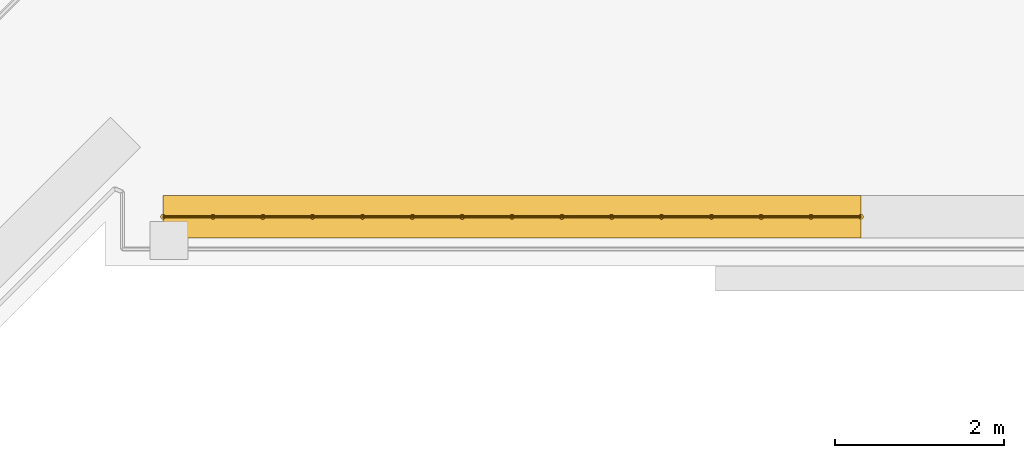
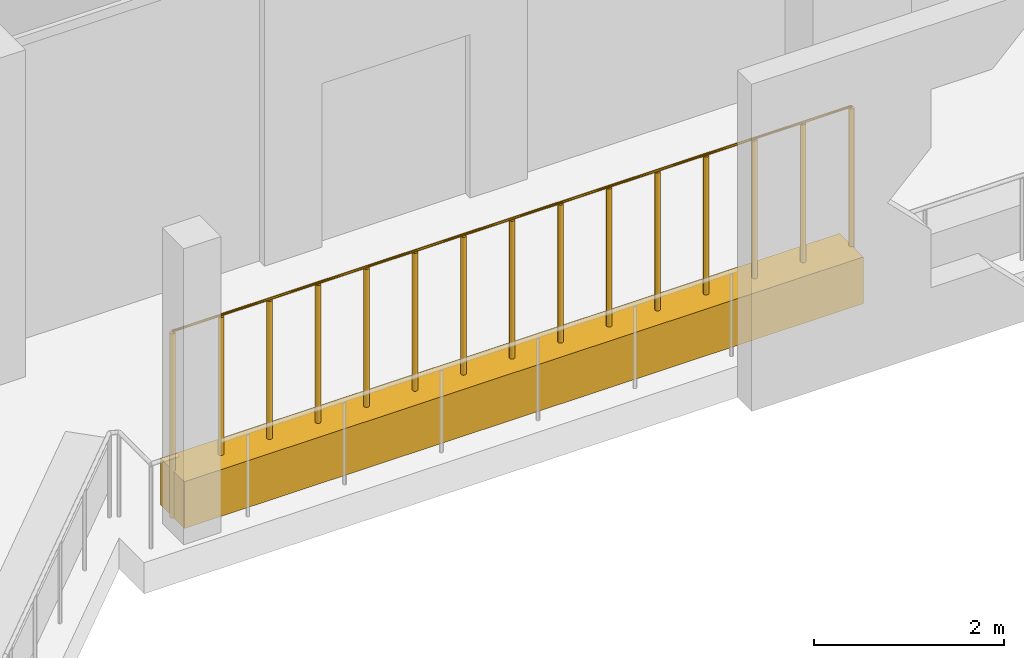
# One storey, part 24 of 28: 1 covering, 1 railing.
"""IFC4 building model written with IfcOpenShell, lengths in metres."""

from ifc_helpers import new_model, si_unit, direction, frame, origin, origin_2d, place, context, subcontext, project, spatial, rectangle, circle, extrude, material, material_profile, profile_set, type_object, element, save


model = new_model("IFC4")

# Units and contexts
model_context = context("Model", 3, precision=1e-05, world=origin(), true_north=direction((0.0, 1.0)))
body_context = subcontext(model_context, "Body", "Model", "MODEL_VIEW")
ifc_project = project(units=[si_unit("LENGTHUNIT", "METRE"), si_unit("AREAUNIT", "SQUARE_METRE"), si_unit("VOLUMEUNIT", "CUBIC_METRE"), si_unit("PLANEANGLEUNIT", "RADIAN"), si_unit("MASSUNIT", "GRAM", prefix="KILO")], contexts=[model_context])

# Site, building, storey
site_placement = place(None, origin())
site = spatial("IfcSite", under=ifc_project, at=site_placement, CompositionType="ELEMENT")
building_placement = place(site_placement, origin())
building = spatial("IfcBuilding", under=site, at=building_placement, Name="Kawkab Arch Medical Tower", CompositionType="ELEMENT")
storey_placement = place(building_placement, frame((0.0, 0.0, 81.199951171875)))
storey = spatial("IfcBuildingStorey", under=building, at=storey_placement, Name="L18", CompositionType="ELEMENT", Elevation=81.199951171875)

# Covering
ifc_material_1 = material(Name="Planting soil in a precast trough", Category="concrete")
ifc_material_profile = material_profile(ifc_material_1, rectangle(XDim=0.5, YDim=0.60009765625, at=origin_2d()), Name="Trough 500x600")
ifc_profile_set = profile_set([ifc_material_profile], Name="Planting soil in a precast trough")
covering_type = type_object("IfcCoveringType", Name="Planter trough 500 x 600", PredefinedType="USERDEFINED", material=ifc_profile_set)
covering_placement = place(storey_placement, frame((40.126953125, -28.820068359375, 0.300048828125), z_axis=(-1.0, 0.0, 0.0), x_axis=(0.0, -1.0, 0.0)))
element("IfcCovering", 1, at=covering_placement, inside=storey, type_object=covering_type, Name="Planter L18.LOG-01-01.41", ObjectType="PLANTER", PredefinedType="USERDEFINED", context=body_context, shape_type="SweptSolid", body=[
    extrude(rectangle(XDim=0.5, YDim=0.60009765625, at=origin_2d()), origin(), (0.0, 0.0, 1.0), 8.2470703125),
])

# Railing
ifc_material_2 = material(Name="Bronze anodised aluminium trellis for climbing plants", Category="aluminium")
railing_type = type_object("IfcRailingType", Name="Planting trellis 2400", PredefinedType="USERDEFINED", material=ifc_material_2)
railing_placement = place(storey_placement, frame((40.126953125, -28.820068359375, 0.0)))
element("IfcRailing", 2, at=railing_placement, inside=storey, type_object=railing_type, Name="Planting trellis L18.LOG-01-01.41", ObjectType="TRELLIS", PredefinedType="USERDEFINED", context=body_context, shape_type="SweptSolid", body=[
    extrude(circle(Radius=0.01513671875, at=origin_2d()), frame((0.0, 0.0, 2.384765625), z_axis=(-1.0, 0.0, 0.0), x_axis=(0.0, -1.0, 0.0)), (0.0, 0.0, 1.0), 8.2470703125),
    extrude(circle(Radius=0.030029296875, at=origin_2d()), origin(), (0.0, 0.0, 1.0), 2.369873046875),
    extrude(circle(Radius=0.030029296875, at=origin_2d()), frame((-0.589111328125, 0.0, 0.0)), (0.0, 0.0, 1.0), 2.369873046875),
    extrude(circle(Radius=0.030029296875, at=origin_2d()), frame((-1.17822265625, 0.0, 0.0)), (0.0, 0.0, 1.0), 2.369873046875),
    extrude(circle(Radius=0.030029296875, at=origin_2d()), frame((-1.767333984375, 0.0, 0.0)), (0.0, 0.0, 1.0), 2.369873046875),
    extrude(circle(Radius=0.030029296875, at=origin_2d()), frame((-2.356201171875, 0.0, 0.0)), (0.0, 0.0, 1.0), 2.369873046875),
    extrude(circle(Radius=0.030029296875, at=origin_2d()), frame((-2.9453125, 0.0, 0.0)), (0.0, 0.0, 1.0), 2.369873046875),
    extrude(circle(Radius=0.030029296875, at=origin_2d()), frame((-3.534423828125, 0.0, 0.0)), (0.0, 0.0, 1.0), 2.369873046875),
    extrude(circle(Radius=0.030029296875, at=origin_2d()), frame((-4.12353515625, 0.0, 0.0)), (0.0, 0.0, 1.0), 2.369873046875),
    extrude(circle(Radius=0.030029296875, at=origin_2d()), frame((-4.712646484375, 0.0, 0.0)), (0.0, 0.0, 1.0), 2.369873046875),
    extrude(circle(Radius=0.030029296875, at=origin_2d()), frame((-5.3017578125, 0.0, 0.0)), (0.0, 0.0, 1.0), 2.369873046875),
    extrude(circle(Radius=0.030029296875, at=origin_2d()), frame((-5.890869140625, 0.0, 0.0)), (0.0, 0.0, 1.0), 2.369873046875),
    extrude(circle(Radius=0.030029296875, at=origin_2d()), frame((-6.479736328125, 0.0, 0.0)), (0.0, 0.0, 1.0), 2.369873046875),
    extrude(circle(Radius=0.030029296875, at=origin_2d()), frame((-7.06884765625, 0.0, 0.0)), (0.0, 0.0, 1.0), 2.369873046875),
    extrude(circle(Radius=0.030029296875, at=origin_2d()), frame((-7.657958984375, 0.0, 0.0)), (0.0, 0.0, 1.0), 2.369873046875),
    extrude(circle(Radius=0.030029296875, at=origin_2d()), frame((-8.2470703125, 0.0, 0.0)), (0.0, 0.0, 1.0), 2.369873046875),
])

save(model, "model.ifc")
